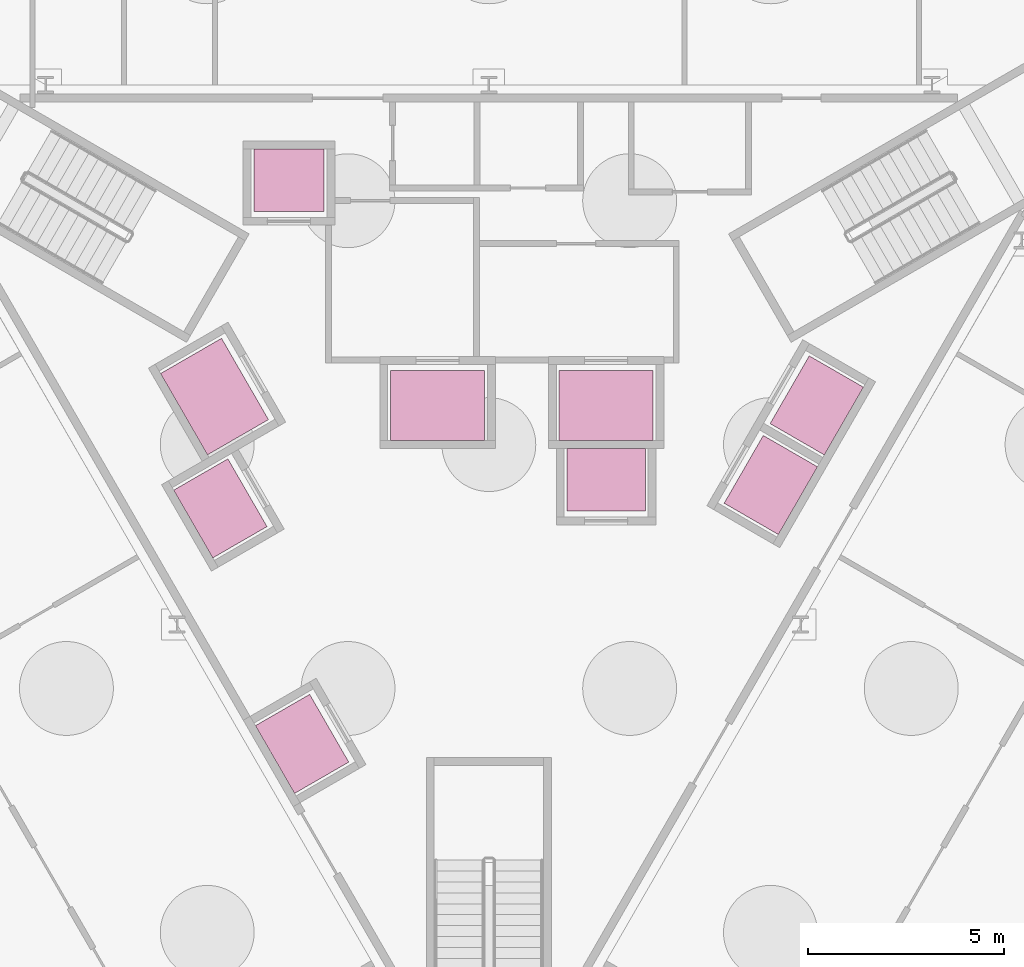
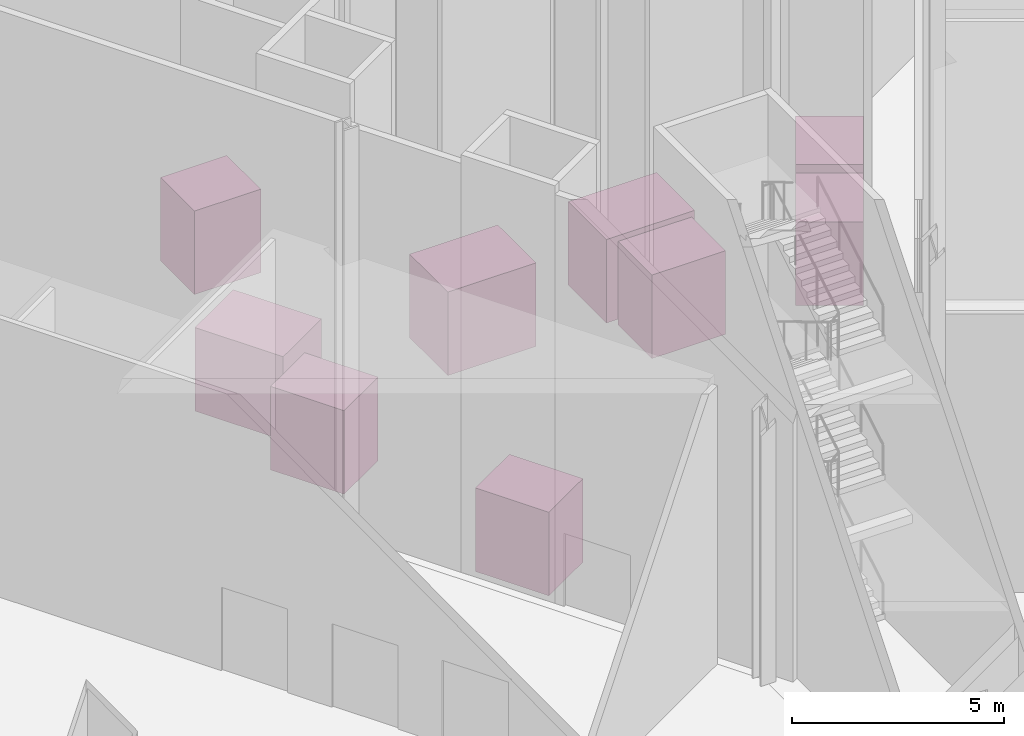
# One storey, part 18 of 22: 9 transport elements.
"""IFC4 building model written with IfcOpenShell, lengths in metres."""

from ifc_helpers import new_model, si_unit, direction, frame, origin, origin_2d, place, context, subcontext, project, spatial, rectangle, extrude, material, type_object, element, save


model = new_model("IFC4")

# Units and contexts
model_context = context("Model", 3, precision=1e-05, world=origin(), true_north=direction((0.0, 1.0)))
body_context = subcontext(model_context, "Body", "Model", "MODEL_VIEW")
ifc_project = project(units=[si_unit("LENGTHUNIT", "METRE"), si_unit("AREAUNIT", "SQUARE_METRE"), si_unit("VOLUMEUNIT", "CUBIC_METRE"), si_unit("PLANEANGLEUNIT", "RADIAN"), si_unit("MASSUNIT", "GRAM", prefix="KILO")], contexts=[model_context])

# Site, building, storey
site_placement = place(None, origin())
site = spatial("IfcSite", under=ifc_project, at=site_placement, CompositionType="ELEMENT")
building_placement = place(site_placement, origin())
building = spatial("IfcBuilding", under=site, at=building_placement, Name="Verrane Prism Tower", CompositionType="ELEMENT")
storey_placement = place(building_placement, origin())
storey = spatial("IfcBuildingStorey", under=building, at=storey_placement, Name="L00", CompositionType="ELEMENT", Elevation=0.0)

# Transport elements
ifc_material_1 = material(Name="Stainless steel lift car", Category="steel")
transport_element_type_1 = type_object("IfcTransportElementType", Name="Lift car 1800x1600", PredefinedType="ELEVATOR", material=ifc_material_1)
transport_element_placement = place(storey_placement, frame((-5.110107421875, 6.760009765625, 0.0), z_axis=(0.0, 0.0, 1.0), x_axis=(-1.0, 0.0, 0.0)))
element("IfcTransportElement", 1, at=transport_element_placement, inside=storey, type_object=transport_element_type_1, Name="Shuttle lift 2 car", PredefinedType="ELEVATOR", context=body_context, shape_type="SweptSolid", body=[
    extrude(rectangle(XDim=1.800048828125, YDim=1.60009765625, at=origin_2d()), origin(), (0.0, 0.0, 1.0), 2.39990234375),
])
ifc_material_2 = material(Name="Stainless steel lift car", Category="steel")
transport_element_type_2 = type_object("IfcTransportElementType", Name="Lift car 2000x1600", PredefinedType="ELEVATOR", material=ifc_material_2)
for number, where, z_axis, x_axis, name in (
    (2, (8.38427734375, 1.002197265625, 0.0), (0.0, 0.0, 1.0), (0.5, 0.866025403784, 0.0), "Shuttle lift 1 car"),
    (3, (7.209228515625, -1.032958984375, 0.0), (0.0, 0.0, 1.0), (0.5, 0.866025403784, 0.0), "Shuttle lift 3 car"),
    (4, (-6.8642578125, -1.630615234375, 0.0), (0.0, 0.0, 1.0), (0.5, -0.866025403784, 0.0), "Shuttle lift 4 car"),
    (5, (-4.773681640625, -7.65185546875, 0.0), (0.0, 0.0, 1.0), (0.5, -0.866025403784, 0.0), "Retail lift 1 car"),
    (6, (3.0, -0.89990234375, 0.0), (0.0, 0.0, 1.0), (-1.0, 0.0, 0.0), "Retail lift 2 car"),
):
    element("IfcTransportElement", number, at=place(storey_placement, frame(where, z_axis=z_axis, x_axis=x_axis)), inside=storey, type_object=transport_element_type_2, Name=name, PredefinedType="ELEVATOR", context=body_context, shape_type="SweptSolid", body=[
        extrude(rectangle(XDim=2.0, YDim=1.60009765625, at=origin_2d()), origin(), (0.0, 0.0, 1.0), 2.39990234375),
    ])
ifc_material_3 = material(Name="Stainless steel lift car", Category="steel")
transport_element_type_3 = type_object("IfcTransportElementType", Name="Lift car 2400x1800", PredefinedType="ELEVATOR", material=ifc_material_3)
for number, where, z_axis, x_axis, name in (
    (7, (-1.31005859375, 1.0, 0.0), (0.0, 0.0, 1.0), (1.0, 0.0, 0.0), "Fire service lift 1 car"),
    (8, (3.0, 1.0, 0.0), (0.0, 0.0, 1.0), (1.0, 0.0, 0.0), "Fire service lift 2 car"),
    (9, (-7.013427734375, 1.227783203125, 0.0), (0.0, 0.0, 1.0), (0.5, -0.866025403784, 0.0), "Service lift 1 car"),
):
    element("IfcTransportElement", number, at=place(storey_placement, frame(where, z_axis=z_axis, x_axis=x_axis)), inside=storey, type_object=transport_element_type_3, Name=name, PredefinedType="ELEVATOR", context=body_context, shape_type="SweptSolid", body=[
        extrude(rectangle(XDim=2.39990234375, YDim=1.800048828125, at=origin_2d()), origin(), (0.0, 0.0, 1.0), 2.39990234375),
    ])

save(model, "model.ifc")
